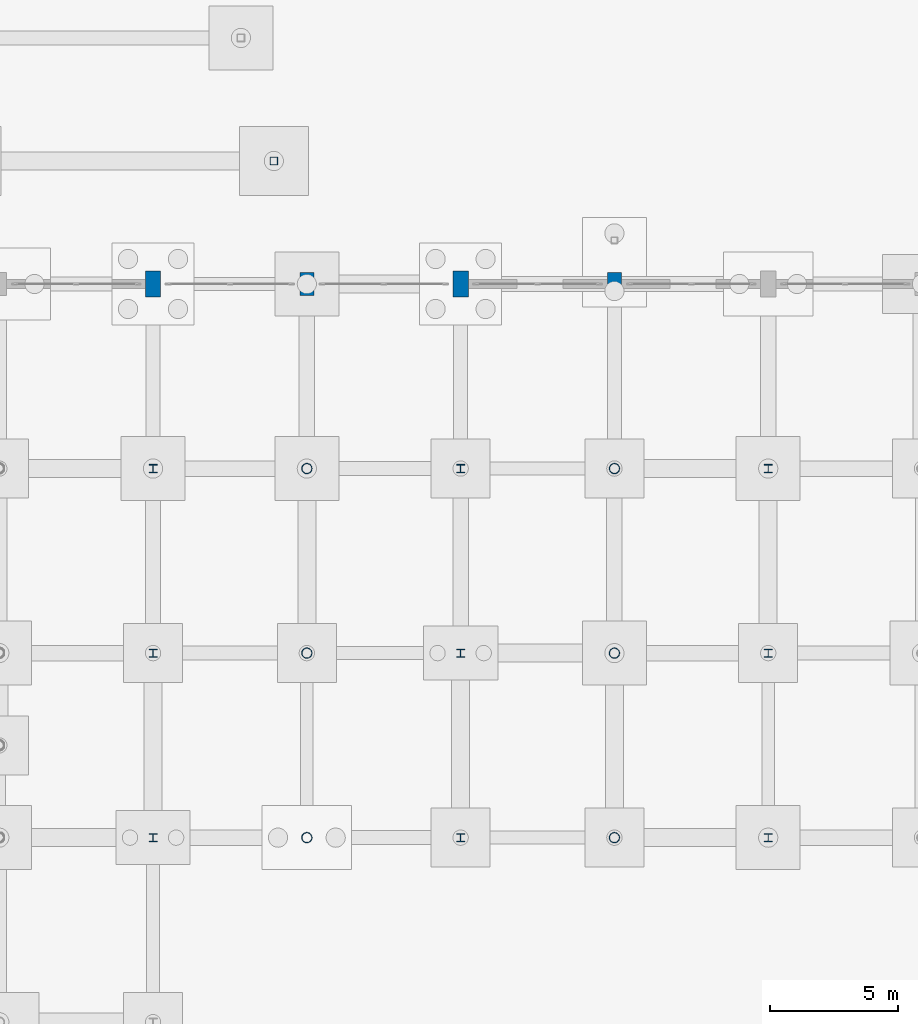
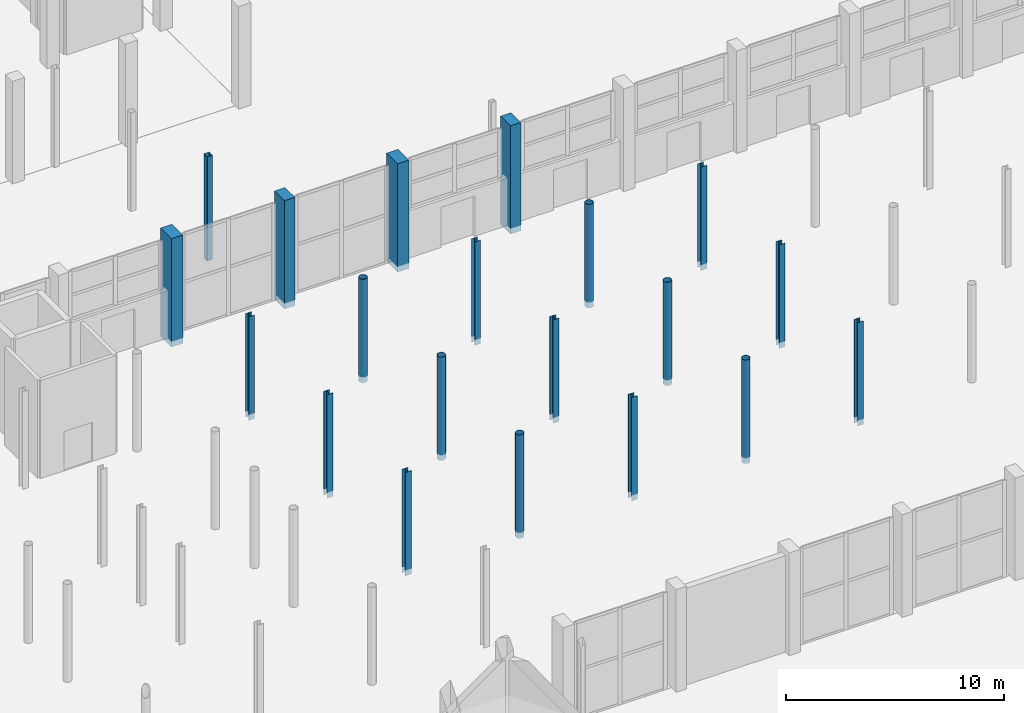
# One storey, part 25 of 103: 20 columns.
"""IFC4 building model written with IfcOpenShell, lengths in metres."""

from ifc_helpers import new_model, si_unit, direction, frame, origin, origin_2d, place, context, subcontext, project, spatial, rectangle, hollow_rectangle, hollow_circle, i_section, extrude, material, material_profile, profile_set, type_object, element, save


model = new_model("IFC4")

# Units and contexts
model_context = context("Model", 3, precision=1e-05, world=origin(), true_north=direction((0.0, 1.0)))
body_context = subcontext(model_context, "Body", "Model", "MODEL_VIEW")
ifc_project = project(units=[si_unit("LENGTHUNIT", "METRE"), si_unit("AREAUNIT", "SQUARE_METRE"), si_unit("VOLUMEUNIT", "CUBIC_METRE"), si_unit("PLANEANGLEUNIT", "RADIAN"), si_unit("MASSUNIT", "GRAM", prefix="KILO")], contexts=[model_context])

# Site, building, storey
site_placement = place(None, origin())
site = spatial("IfcSite", under=ifc_project, at=site_placement, CompositionType="ELEMENT")
building_placement = place(site_placement, origin())
building = spatial("IfcBuilding", under=site, at=building_placement, Name="Dunvalen Ferry Terminal", CompositionType="ELEMENT")
storey_placement = place(building_placement, origin())
storey = spatial("IfcBuildingStorey", under=building, at=storey_placement, Name="L00", CompositionType="ELEMENT", Elevation=0.0)

# Columns
ifc_material_1 = material(Name="Steel S355", Category="steel")
ifc_material_profile_1 = material_profile(ifc_material_1, hollow_circle(Radius=0.203125, WallThickness=0.01611328125, at=origin_2d()), Name="Steel S355")
ifc_profile_set_1 = profile_set([ifc_material_profile_1], Name="Steel S355")
column_type_1 = type_object("IfcColumnType", Name="STR-COL-CHS406", PredefinedType="COLUMN", material=ifc_profile_set_1)
for number, where, z_axis, x_axis, name in (
    (1, (42.0, 64.800048828125, -0.320068359375), (0.0, 0.0, 1.0), (1.0, 0.0, 0.0), "L00 Waiting Lounge Mezzanine Column 42-64"),
    (2, (42.0, 72.0, -0.320068359375), (0.0, 0.0, 1.0), (1.0, 0.0, 0.0), "L00 Waiting Lounge Mezzanine Column 42-72"),
    (3, (42.0, 79.199951171875, -0.320068359375), (0.0, 0.0, 1.0), (1.0, 0.0, 0.0), "L00 Waiting Lounge Mezzanine Column 42-79"),
    (4, (54.0, 64.800048828125, -0.320068359375), (0.0, 0.0, 1.0), (1.0, 0.0, 0.0), "L00 Waiting Lounge Mezzanine Column 54-64"),
    (5, (54.0, 72.0, -0.320068359375), (0.0, 0.0, 1.0), (1.0, 0.0, 0.0), "L00 Waiting Lounge Mezzanine Column 54-72"),
    (6, (54.0, 79.199951171875, -0.320068359375), (0.0, 0.0, 1.0), (1.0, 0.0, 0.0), "L00 Waiting Lounge Mezzanine Column 54-79"),
):
    element("IfcColumn", number, at=place(storey_placement, frame(where, z_axis=z_axis, x_axis=x_axis)), inside=storey, type_object=column_type_1, Name=name, PredefinedType="COLUMN", context=body_context, shape_type="SweptSolid", body=[
        extrude(hollow_circle(Radius=0.203125, WallThickness=0.01611328125, at=origin_2d()), origin(), (0.0, 0.0, 1.0), 5.800048828125),
    ])
ifc_material_2 = material(Name="Concrete C40/50", Category="concrete")
ifc_material_profile_2 = material_profile(ifc_material_2, rectangle(XDim=0.60009765625, YDim=1.0, at=origin_2d()), Name="Concrete C40/50")
ifc_profile_set_2 = profile_set([ifc_material_profile_2], Name="Concrete C40/50")
column_type_2 = type_object("IfcColumnType", Name="STR-COL-PIER1000", PredefinedType="COLUMN", material=ifc_profile_set_2)
for number, where, z_axis, x_axis, name in (
    (7, (36.0, 86.39990234375, -0.320068359375), (0.0, 0.0, 1.0), (1.0, 0.0, 0.0), "L00 Departure Hall Perimeter Pier 20"),
    (8, (48.0, 86.39990234375, -0.320068359375), (0.0, 0.0, 1.0), (1.0, 0.0, 0.0), "L00 Departure Hall Perimeter Pier 22"),
):
    element("IfcColumn", number, at=place(storey_placement, frame(where, z_axis=z_axis, x_axis=x_axis)), inside=storey, type_object=column_type_2, Name=name, PredefinedType="COLUMN", context=body_context, shape_type="SweptSolid", body=[
        extrude(rectangle(XDim=0.60009765625, YDim=1.0, at=origin_2d()), origin(), (0.0, 0.0, 1.0), 6.080078125),
    ])
ifc_material_profile_3 = material_profile(ifc_material_2, rectangle(XDim=0.550048828125, YDim=0.89990234375, at=origin_2d()), Name="Concrete C40/50")
ifc_profile_set_3 = profile_set([ifc_material_profile_3], Name="Concrete C40/50")
column_type_3 = type_object("IfcColumnType", Name="STR-COL-PIER900", PredefinedType="COLUMN", material=ifc_profile_set_3)
for number, where, z_axis, x_axis, name in (
    (9, (42.0, 86.39990234375, -0.320068359375), (0.0, 0.0, 1.0), (1.0, 0.0, 0.0), "L00 Departure Hall Perimeter Pier 21"),
    (10, (54.0, 86.39990234375, -0.320068359375), (0.0, 0.0, 1.0), (1.0, 0.0, 0.0), "L00 Departure Hall Perimeter Pier 23"),
):
    element("IfcColumn", number, at=place(storey_placement, frame(where, z_axis=z_axis, x_axis=x_axis)), inside=storey, type_object=column_type_3, Name=name, PredefinedType="COLUMN", context=body_context, shape_type="SweptSolid", body=[
        extrude(rectangle(XDim=0.550048828125, YDim=0.89990234375, at=origin_2d()), origin(), (0.0, 0.0, 1.0), 6.080078125),
    ])
ifc_material_profile_4 = material_profile(ifc_material_1, hollow_rectangle(XDim=0.300048828125, YDim=0.300048828125, WallThickness=0.012451171875, InnerFilletRadius=0.012451171875, OuterFilletRadius=0.02490234375, at=origin_2d()), Name="Steel S355")
ifc_profile_set_4 = profile_set([ifc_material_profile_4], Name="Steel S355")
column_type_4 = type_object("IfcColumnType", Name="STR-COL-SHS300", PredefinedType="COLUMN", material=ifc_profile_set_4)
column_placement = place(storey_placement, frame((40.7138671875, 91.199951171875, -0.320068359375), z_axis=(0.0, 0.0, 1.0), x_axis=(1.0, 0.0, 0.0)))
element("IfcColumn", 11, at=column_placement, inside=storey, type_object=column_type_4, Name="L00 Boarding Bridge 1 Marine Pier 2.2", PredefinedType="COLUMN", context=body_context, shape_type="SweptSolid", body=[
    extrude(hollow_rectangle(XDim=0.300048828125, YDim=0.300048828125, WallThickness=0.012451171875, InnerFilletRadius=0.012451171875, OuterFilletRadius=0.02490234375, at=origin_2d()), origin(), (0.0, 0.0, 1.0), 5.840087890625),
])
ifc_material_profile_5 = material_profile(ifc_material_1, i_section(OverallWidth=0.30908203125, OverallDepth=0.320556640625, WebThickness=0.013916015625, FlangeThickness=0.021728515625, FilletRadius=0.01513671875, at=origin_2d()), Name="Steel S355")
ifc_profile_set_5 = profile_set([ifc_material_profile_5], Name="Steel S355")
column_type_5 = type_object("IfcColumnType", Name="STR-COL-UKC305", PredefinedType="COLUMN", material=ifc_profile_set_5)
for number, where, z_axis, x_axis, name in (
    (12, (36.0, 64.800048828125, -0.320068359375), (0.0, 0.0, 1.0), (1.0, 0.0, 0.0), "L00 Waiting Lounge Mezzanine Column 36-64"),
    (13, (36.0, 72.0, -0.320068359375), (0.0, 0.0, 1.0), (1.0, 0.0, 0.0), "L00 Waiting Lounge Mezzanine Column 36-72"),
    (14, (36.0, 79.199951171875, -0.320068359375), (0.0, 0.0, 1.0), (1.0, 0.0, 0.0), "L00 Waiting Lounge Mezzanine Column 36-79"),
    (15, (48.0, 64.800048828125, -0.320068359375), (0.0, 0.0, 1.0), (1.0, 0.0, 0.0), "L00 Waiting Lounge Mezzanine Column 48-64"),
    (16, (48.0, 72.0, -0.320068359375), (0.0, 0.0, 1.0), (1.0, 0.0, 0.0), "L00 Waiting Lounge Mezzanine Column 48-72"),
    (17, (48.0, 79.199951171875, -0.320068359375), (0.0, 0.0, 1.0), (1.0, 0.0, 0.0), "L00 Waiting Lounge Mezzanine Column 48-79"),
    (18, (60.0, 64.800048828125, -0.320068359375), (0.0, 0.0, 1.0), (1.0, 0.0, 0.0), "L00 Waiting Lounge Mezzanine Column 60-64"),
    (19, (60.0, 72.0, -0.320068359375), (0.0, 0.0, 1.0), (1.0, 0.0, 0.0), "L00 Waiting Lounge Mezzanine Column 60-72"),
    (20, (60.0, 79.199951171875, -0.320068359375), (0.0, 0.0, 1.0), (1.0, 0.0, 0.0), "L00 Waiting Lounge Mezzanine Column 60-79"),
):
    element("IfcColumn", number, at=place(storey_placement, frame(where, z_axis=z_axis, x_axis=x_axis)), inside=storey, type_object=column_type_5, Name=name, PredefinedType="COLUMN", context=body_context, shape_type="SweptSolid", body=[
        extrude(i_section(OverallWidth=0.30908203125, OverallDepth=0.320556640625, WebThickness=0.013916015625, FlangeThickness=0.021728515625, FilletRadius=0.01513671875, at=origin_2d()), origin(), (0.0, 0.0, 1.0), 5.800048828125),
    ])

save(model, "model.ifc")
